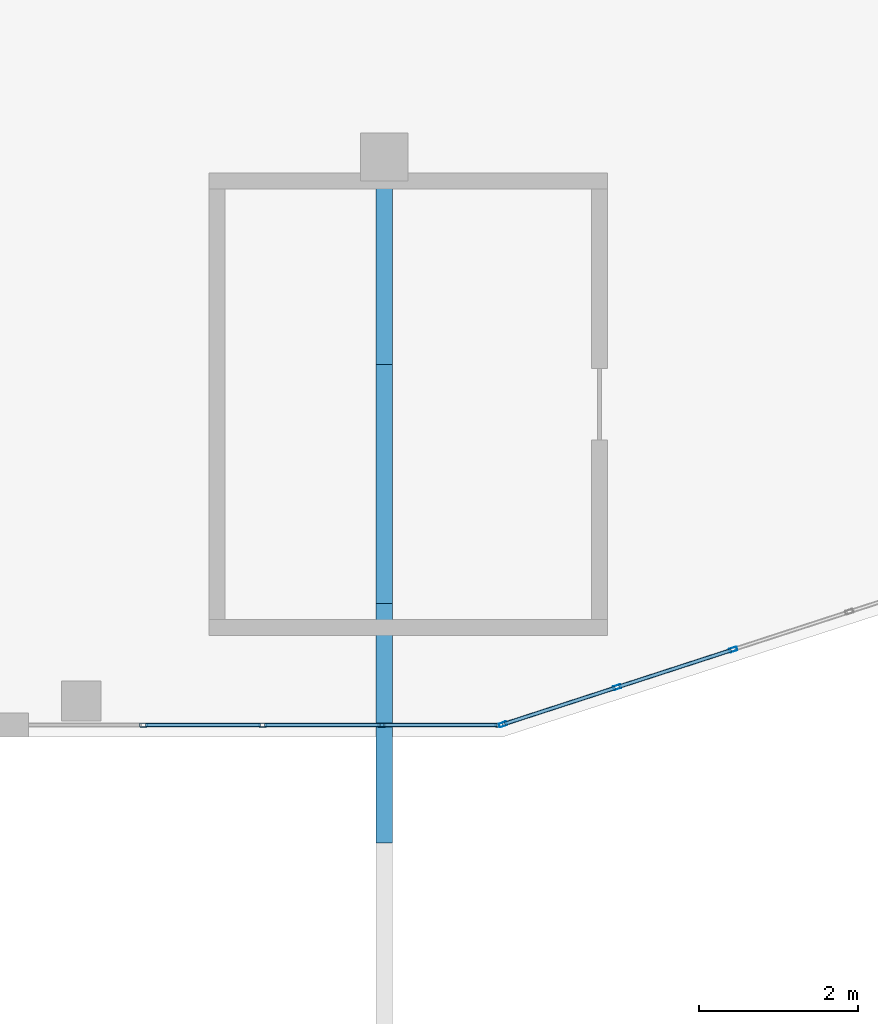
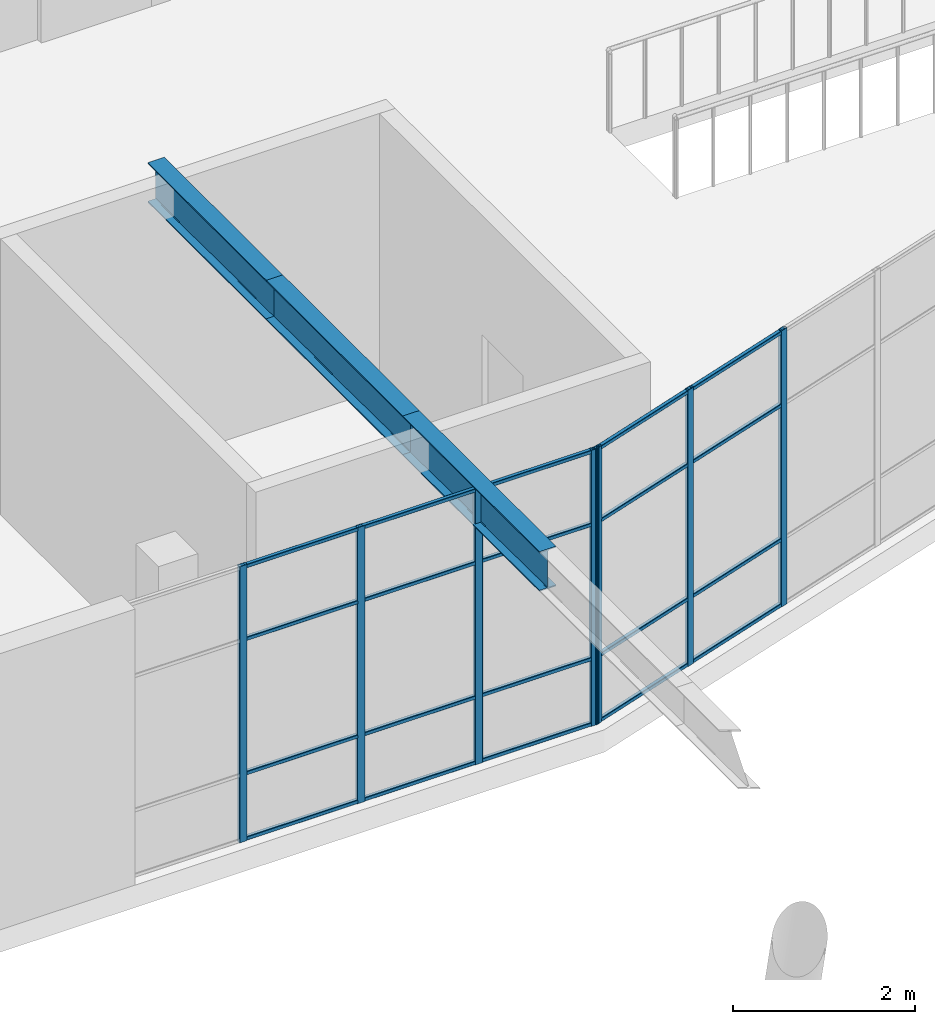
# One storey, part 6 of 65: 30 members, 2 elements without a shape of their own.
"""IFC4 building model written with IfcOpenShell, lengths in metres."""

from ifc_helpers import new_model, si_unit, direction, frame, origin, origin_2d, place, context, subcontext, project, spatial, hollow_rectangle, i_section, extrude, material, layer, layer_set, material_profile, profile_set, type_object, element, aggregate, save


model = new_model("IFC4")

# Units and contexts
model_context = context("Model", 3, precision=1e-05, world=origin(), true_north=direction((0.0, 1.0)))
body_context = subcontext(model_context, "Body", "Model", "MODEL_VIEW")
ifc_project = project(units=[si_unit("LENGTHUNIT", "METRE"), si_unit("AREAUNIT", "SQUARE_METRE"), si_unit("VOLUMEUNIT", "CUBIC_METRE"), si_unit("PLANEANGLEUNIT", "RADIAN"), si_unit("MASSUNIT", "GRAM", prefix="KILO")], contexts=[model_context])

# Site, building, storey
site_placement = place(None, origin())
site = spatial("IfcSite", under=ifc_project, at=site_placement, CompositionType="ELEMENT")
building_placement = place(site_placement, origin())
building = spatial("IfcBuilding", under=site, at=building_placement, Name="Tuart Plaza Theatre", CompositionType="ELEMENT")
storey_placement = place(building_placement, frame((0.0, 0.0, 9.5)))
storey = spatial("IfcBuildingStorey", under=building, at=storey_placement, Name="L02", CompositionType="ELEMENT", Elevation=9.5)

# Members
ifc_material_1 = material(Name="Steel Grade 300", Category="steel")
ifc_material_profile_1 = material_profile(ifc_material_1, i_section(OverallWidth=0.208984375, OverallDepth=0.532958984375, WebThickness=0.01025390625, FlangeThickness=0.015625, FilletRadius=0.013916015625, at=origin_2d()), Name="530UB92.4")
ifc_profile_set_1 = profile_set([ifc_material_profile_1], Name="Steel Grade 300")
member_type_1 = type_object("IfcMemberType", Name="BELT TRUSS Chord 530UB92.4", PredefinedType="CHORD", material=ifc_profile_set_1)
for number, where, z_axis, x_axis, name in (
    (1, (87.0, 41.0, 3.47998046875), (0.0, 1.0, 0.0), (-1.0, 0.0, 0.0), "CH39"),
    (2, (87.0, 44.0, 3.47998046875), (0.0, 1.0, 0.0), (-1.0, 0.0, 0.0), "CH40"),
):
    element("IfcMember", number, at=place(storey_placement, frame(where, z_axis=z_axis, x_axis=x_axis)), inside=storey, type_object=member_type_1, Name=name, PredefinedType="CHORD", context=body_context, shape_type="SweptSolid", body=[
        extrude(i_section(OverallWidth=0.208984375, OverallDepth=0.532958984375, WebThickness=0.01025390625, FlangeThickness=0.015625, FilletRadius=0.013916015625, at=origin_2d()), origin(), (0.0, 0.0, 1.0), 3.0),
    ])
member_1_placement = place(storey_placement, frame((87.0, 47.0, 3.47998046875), z_axis=(0.0, 1.0, 0.0), x_axis=(-1.0, 0.0, 0.0)))
element("IfcMember", 3, at=member_1_placement, inside=storey, type_object=member_type_1, Name="CH41", PredefinedType="CHORD", context=body_context, shape_type="SweptSolid", body=[
    extrude(i_section(OverallWidth=0.208984375, OverallDepth=0.532958984375, WebThickness=0.01025390625, FlangeThickness=0.015625, FilletRadius=0.013916015625, at=origin_2d()), origin(), (0.0, 0.0, 1.0), 2.60009765625),
])

# Curtain wall, members
ifc_material_2 = material(Name="Aluminium and glass", Category="aluminium")
ifc_layer = layer(ifc_material_2, 0.10009765625)
ifc_layer_set = layer_set([ifc_layer], Name="CURTAIN WALL 1500 module")
curtain_wall_type = type_object("IfcCurtainWallType", Name="CURTAIN WALL 1500 module", PredefinedType="NOTDEFINED", material=ifc_layer_set)
curtain_wall_1_placement = place(storey_placement, origin())
curtain_wall_1 = element("IfcCurtainWall", 4, at=curtain_wall_1_placement, inside=storey, type_object=curtain_wall_type, Name="CW27", PredefinedType="NOTDEFINED")
ifc_material_3 = material(Name="Aluminium 6063-T5", Category="aluminium")
ifc_material_profile_2 = material_profile(ifc_material_3, hollow_rectangle(XDim=0.050048828125, YDim=0.10009765625, WallThickness=0.00390625, InnerFilletRadius=0.00390625, OuterFilletRadius=0.008056640625, at=origin_2d()), Name="RHS 100x50x4")
ifc_profile_set_2 = profile_set([ifc_material_profile_2], Name="Aluminium 6063-T5")
member_type_2 = type_object("IfcMemberType", Name="MULLION RHS 100x50x4", PredefinedType="MULLION", material=ifc_profile_set_2)
member_2_placement = place(storey_placement, frame((83.98095703125, 42.47802734375, 0.0), z_axis=(0.0, 0.0, 1.0), x_axis=(0.0, 1.0, 0.0)))
member_2 = element("IfcMember", 5, at=member_2_placement, type_object=member_type_2, Name="CW27 mullion 2", PredefinedType="MULLION", context=body_context, shape_type="SweptSolid", body=[
    extrude(hollow_rectangle(XDim=0.050048828125, YDim=0.10009765625, WallThickness=0.00390625, InnerFilletRadius=0.00390625, OuterFilletRadius=0.008056640625, at=origin_2d()), origin(), (0.0, 0.0, 1.0), 3.699951171875),
])
member_3_placement = place(storey_placement, frame((85.47509765625, 42.47802734375, 0.0), z_axis=(0.0, 0.0, 1.0), x_axis=(0.0, 1.0, 0.0)))
member_3 = element("IfcMember", 6, at=member_3_placement, type_object=member_type_2, Name="CW27 mullion 3", PredefinedType="MULLION", context=body_context, shape_type="SweptSolid", body=[
    extrude(hollow_rectangle(XDim=0.050048828125, YDim=0.10009765625, WallThickness=0.00390625, InnerFilletRadius=0.00390625, OuterFilletRadius=0.008056640625, at=origin_2d()), origin(), (0.0, 0.0, 1.0), 3.699951171875),
])
member_4_placement = place(storey_placement, frame((86.96923828125, 42.47802734375, 0.0), z_axis=(0.0, 0.0, 1.0), x_axis=(0.0, 1.0, 0.0)))
member_4 = element("IfcMember", 7, at=member_4_placement, type_object=member_type_2, Name="CW27 mullion 4", PredefinedType="MULLION", context=body_context, shape_type="SweptSolid", body=[
    extrude(hollow_rectangle(XDim=0.050048828125, YDim=0.10009765625, WallThickness=0.00390625, InnerFilletRadius=0.00390625, OuterFilletRadius=0.008056640625, at=origin_2d()), origin(), (0.0, 0.0, 1.0), 3.699951171875),
])
member_5_placement = place(storey_placement, frame((88.438232421875, 42.47802734375, 0.0), z_axis=(0.0, 0.0, 1.0), x_axis=(0.0, 1.0, 0.0)))
member_5 = element("IfcMember", 8, at=member_5_placement, type_object=member_type_2, Name="CW27 mullion 5", PredefinedType="MULLION", context=body_context, shape_type="SweptSolid", body=[
    extrude(hollow_rectangle(XDim=0.050048828125, YDim=0.10009765625, WallThickness=0.00390625, InnerFilletRadius=0.00390625, OuterFilletRadius=0.008056640625, at=origin_2d()), origin(), (0.0, 0.0, 1.0), 3.699951171875),
])

curtain_wall_2_placement = place(storey_placement, origin())
curtain_wall_2 = element("IfcCurtainWall", 9, at=curtain_wall_2_placement, inside=storey, type_object=curtain_wall_type, Name="CW28", PredefinedType="NOTDEFINED")
member_6_placement = place(storey_placement, frame((88.487060546875, 42.48583984375, 0.0), z_axis=(0.0, 0.0, 1.0), x_axis=(-0.309018232632, 0.95105611396, 0.0)))
member_6 = element("IfcMember", 10, at=member_6_placement, type_object=member_type_2, Name="CW28 mullion 1", PredefinedType="MULLION", context=body_context, shape_type="SweptSolid", body=[
    extrude(hollow_rectangle(XDim=0.050048828125, YDim=0.10009765625, WallThickness=0.00390625, InnerFilletRadius=0.00390625, OuterFilletRadius=0.008056640625, at=origin_2d()), origin(), (0.0, 0.0, 1.0), 3.699951171875),
])
member_7_placement = place(storey_placement, frame((89.919677734375, 42.951171875, 0.0), z_axis=(0.0, 0.0, 1.0), x_axis=(-0.309018232632, 0.95105611396, 0.0)))
member_7 = element("IfcMember", 11, at=member_7_placement, type_object=member_type_2, Name="CW28 mullion 2", PredefinedType="MULLION", context=body_context, shape_type="SweptSolid", body=[
    extrude(hollow_rectangle(XDim=0.050048828125, YDim=0.10009765625, WallThickness=0.00390625, InnerFilletRadius=0.00390625, OuterFilletRadius=0.008056640625, at=origin_2d()), origin(), (0.0, 0.0, 1.0), 3.699951171875),
])
member_8_placement = place(storey_placement, frame((91.376220703125, 43.424560546875, 0.0), z_axis=(0.0, 0.0, 1.0), x_axis=(-0.309018232632, 0.95105611396, 0.0)))
member_8 = element("IfcMember", 12, at=member_8_placement, type_object=member_type_2, Name="CW28 mullion 3", PredefinedType="MULLION", context=body_context, shape_type="SweptSolid", body=[
    extrude(hollow_rectangle(XDim=0.050048828125, YDim=0.10009765625, WallThickness=0.00390625, InnerFilletRadius=0.00390625, OuterFilletRadius=0.008056640625, at=origin_2d()), origin(), (0.0, 0.0, 1.0), 3.699951171875),
])

# Member
ifc_material_4 = material(Name="Aluminium 6063-T5", Category="aluminium")
ifc_material_profile_3 = material_profile(ifc_material_4, hollow_rectangle(XDim=0.050048828125, YDim=0.050048828125, WallThickness=0.00390625, InnerFilletRadius=0.00390625, OuterFilletRadius=0.008056640625, at=origin_2d()), Name="RHS 50x50x4")
ifc_profile_set_3 = profile_set([ifc_material_profile_3], Name="Aluminium 6063-T5")
member_type_3 = type_object("IfcMemberType", Name="TRANSOM RHS 50x50x4", PredefinedType="USERDEFINED", material=ifc_profile_set_3)
member_9_placement = place(storey_placement, frame((84.006103515625, 42.47802734375, 0.02490234375), z_axis=(1.0, 0.0, 0.0), x_axis=(0.0, 1.0, 0.0)))
member_9 = element("IfcMember", 13, at=member_9_placement, type_object=member_type_3, Name="CW27 transom 2.1", ObjectType="TRANSOM", PredefinedType="USERDEFINED", context=body_context, shape_type="SweptSolid", body=[
    extrude(hollow_rectangle(XDim=0.050048828125, YDim=0.050048828125, WallThickness=0.00390625, InnerFilletRadius=0.00390625, OuterFilletRadius=0.008056640625, at=origin_2d()), origin(), (0.0, 0.0, 1.0), 1.444091796875),
])

member_10_placement = place(storey_placement, frame((84.006103515625, 42.47802734375, 0.89990234375), z_axis=(1.0, 0.0, 0.0), x_axis=(0.0, 1.0, 0.0)))
member_10 = element("IfcMember", 14, at=member_10_placement, type_object=member_type_3, Name="CW27 transom 2.2", ObjectType="TRANSOM", PredefinedType="USERDEFINED", context=body_context, shape_type="SweptSolid", body=[
    extrude(hollow_rectangle(XDim=0.050048828125, YDim=0.050048828125, WallThickness=0.00390625, InnerFilletRadius=0.00390625, OuterFilletRadius=0.008056640625, at=origin_2d()), origin(), (0.0, 0.0, 1.0), 1.444091796875),
])

member_11_placement = place(storey_placement, frame((84.006103515625, 42.47802734375, 2.699951171875), z_axis=(1.0, 0.0, 0.0), x_axis=(0.0, 1.0, 0.0)))
member_11 = element("IfcMember", 15, at=member_11_placement, type_object=member_type_3, Name="CW27 transom 2.3", ObjectType="TRANSOM", PredefinedType="USERDEFINED", context=body_context, shape_type="SweptSolid", body=[
    extrude(hollow_rectangle(XDim=0.050048828125, YDim=0.050048828125, WallThickness=0.00390625, InnerFilletRadius=0.00390625, OuterFilletRadius=0.008056640625, at=origin_2d()), origin(), (0.0, 0.0, 1.0), 1.444091796875),
])

member_12_placement = place(storey_placement, frame((84.006103515625, 42.47802734375, 3.675048828125), z_axis=(1.0, 0.0, 0.0), x_axis=(0.0, 1.0, 0.0)))
member_12 = element("IfcMember", 16, at=member_12_placement, type_object=member_type_3, Name="CW27 transom 2.4", ObjectType="TRANSOM", PredefinedType="USERDEFINED", context=body_context, shape_type="SweptSolid", body=[
    extrude(hollow_rectangle(XDim=0.050048828125, YDim=0.050048828125, WallThickness=0.00390625, InnerFilletRadius=0.00390625, OuterFilletRadius=0.008056640625, at=origin_2d()), origin(), (0.0, 0.0, 1.0), 1.444091796875),
])

member_13_placement = place(storey_placement, frame((85.5, 42.47802734375, 0.02490234375), z_axis=(1.0, 0.0, 0.0), x_axis=(0.0, 1.0, 0.0)))
member_13 = element("IfcMember", 17, at=member_13_placement, type_object=member_type_3, Name="CW27 transom 3.1", ObjectType="TRANSOM", PredefinedType="USERDEFINED", context=body_context, shape_type="SweptSolid", body=[
    extrude(hollow_rectangle(XDim=0.050048828125, YDim=0.050048828125, WallThickness=0.00390625, InnerFilletRadius=0.00390625, OuterFilletRadius=0.008056640625, at=origin_2d()), origin(), (0.0, 0.0, 1.0), 1.444091796875),
])

member_14_placement = place(storey_placement, frame((85.5, 42.47802734375, 0.89990234375), z_axis=(1.0, 0.0, 0.0), x_axis=(0.0, 1.0, 0.0)))
member_14 = element("IfcMember", 18, at=member_14_placement, type_object=member_type_3, Name="CW27 transom 3.2", ObjectType="TRANSOM", PredefinedType="USERDEFINED", context=body_context, shape_type="SweptSolid", body=[
    extrude(hollow_rectangle(XDim=0.050048828125, YDim=0.050048828125, WallThickness=0.00390625, InnerFilletRadius=0.00390625, OuterFilletRadius=0.008056640625, at=origin_2d()), origin(), (0.0, 0.0, 1.0), 1.444091796875),
])

member_15_placement = place(storey_placement, frame((85.5, 42.47802734375, 2.699951171875), z_axis=(1.0, 0.0, 0.0), x_axis=(0.0, 1.0, 0.0)))
member_15 = element("IfcMember", 19, at=member_15_placement, type_object=member_type_3, Name="CW27 transom 3.3", ObjectType="TRANSOM", PredefinedType="USERDEFINED", context=body_context, shape_type="SweptSolid", body=[
    extrude(hollow_rectangle(XDim=0.050048828125, YDim=0.050048828125, WallThickness=0.00390625, InnerFilletRadius=0.00390625, OuterFilletRadius=0.008056640625, at=origin_2d()), origin(), (0.0, 0.0, 1.0), 1.444091796875),
])

member_16_placement = place(storey_placement, frame((85.5, 42.47802734375, 3.675048828125), z_axis=(1.0, 0.0, 0.0), x_axis=(0.0, 1.0, 0.0)))
member_16 = element("IfcMember", 20, at=member_16_placement, type_object=member_type_3, Name="CW27 transom 3.4", ObjectType="TRANSOM", PredefinedType="USERDEFINED", context=body_context, shape_type="SweptSolid", body=[
    extrude(hollow_rectangle(XDim=0.050048828125, YDim=0.050048828125, WallThickness=0.00390625, InnerFilletRadius=0.00390625, OuterFilletRadius=0.008056640625, at=origin_2d()), origin(), (0.0, 0.0, 1.0), 1.444091796875),
])

member_17_placement = place(storey_placement, frame((86.994140625, 42.47802734375, 0.02490234375), z_axis=(1.0, 0.0, 0.0), x_axis=(0.0, 1.0, 0.0)))
member_17 = element("IfcMember", 21, at=member_17_placement, type_object=member_type_3, Name="CW27 transom 4.1", ObjectType="TRANSOM", PredefinedType="USERDEFINED", context=body_context, shape_type="SweptSolid", body=[
    extrude(hollow_rectangle(XDim=0.050048828125, YDim=0.050048828125, WallThickness=0.00390625, InnerFilletRadius=0.00390625, OuterFilletRadius=0.008056640625, at=origin_2d()), origin(), (0.0, 0.0, 1.0), 1.419189453125),
])

member_18_placement = place(storey_placement, frame((86.994140625, 42.47802734375, 0.89990234375), z_axis=(1.0, 0.0, 0.0), x_axis=(0.0, 1.0, 0.0)))
member_18 = element("IfcMember", 22, at=member_18_placement, type_object=member_type_3, Name="CW27 transom 4.2", ObjectType="TRANSOM", PredefinedType="USERDEFINED", context=body_context, shape_type="SweptSolid", body=[
    extrude(hollow_rectangle(XDim=0.050048828125, YDim=0.050048828125, WallThickness=0.00390625, InnerFilletRadius=0.00390625, OuterFilletRadius=0.008056640625, at=origin_2d()), origin(), (0.0, 0.0, 1.0), 1.419189453125),
])

member_19_placement = place(storey_placement, frame((86.994140625, 42.47802734375, 2.699951171875), z_axis=(1.0, 0.0, 0.0), x_axis=(0.0, 1.0, 0.0)))
member_19 = element("IfcMember", 23, at=member_19_placement, type_object=member_type_3, Name="CW27 transom 4.3", ObjectType="TRANSOM", PredefinedType="USERDEFINED", context=body_context, shape_type="SweptSolid", body=[
    extrude(hollow_rectangle(XDim=0.050048828125, YDim=0.050048828125, WallThickness=0.00390625, InnerFilletRadius=0.00390625, OuterFilletRadius=0.008056640625, at=origin_2d()), origin(), (0.0, 0.0, 1.0), 1.419189453125),
])

member_20_placement = place(storey_placement, frame((86.994140625, 42.47802734375, 3.675048828125), z_axis=(1.0, 0.0, 0.0), x_axis=(0.0, 1.0, 0.0)))
member_20 = element("IfcMember", 24, at=member_20_placement, type_object=member_type_3, Name="CW27 transom 4.4", ObjectType="TRANSOM", PredefinedType="USERDEFINED", context=body_context, shape_type="SweptSolid", body=[
    extrude(hollow_rectangle(XDim=0.050048828125, YDim=0.050048828125, WallThickness=0.00390625, InnerFilletRadius=0.00390625, OuterFilletRadius=0.008056640625, at=origin_2d()), origin(), (0.0, 0.0, 1.0), 1.419189453125),
])

aggregate(curtain_wall_1, [member_2, member_3, member_4, member_5, member_9, member_10, member_11, member_12, member_13, member_14, member_15, member_16, member_17, member_18, member_19, member_20])

member_21_placement = place(storey_placement, frame((88.5107421875, 42.493408203125, 0.02490234375), z_axis=(0.951036532205, 0.309078492313, 0.0), x_axis=(-0.309078492313, 0.951036532205, 0.0)))
member_21 = element("IfcMember", 25, at=member_21_placement, type_object=member_type_3, Name="CW28 transom 1.1", ObjectType="TRANSOM", PredefinedType="USERDEFINED", context=body_context, shape_type="SweptSolid", body=[
    extrude(hollow_rectangle(XDim=0.050048828125, YDim=0.050048828125, WallThickness=0.00390625, InnerFilletRadius=0.00390625, OuterFilletRadius=0.008056640625, at=origin_2d()), origin(), (0.0, 0.0, 1.0), 1.45654296875),
])

member_22_placement = place(storey_placement, frame((88.5107421875, 42.493408203125, 0.89990234375), z_axis=(0.951036532205, 0.309078492313, 0.0), x_axis=(-0.309078492313, 0.951036532205, 0.0)))
member_22 = element("IfcMember", 26, at=member_22_placement, type_object=member_type_3, Name="CW28 transom 1.2", ObjectType="TRANSOM", PredefinedType="USERDEFINED", context=body_context, shape_type="SweptSolid", body=[
    extrude(hollow_rectangle(XDim=0.050048828125, YDim=0.050048828125, WallThickness=0.00390625, InnerFilletRadius=0.00390625, OuterFilletRadius=0.008056640625, at=origin_2d()), origin(), (0.0, 0.0, 1.0), 1.45654296875),
])

member_23_placement = place(storey_placement, frame((88.5107421875, 42.493408203125, 2.699951171875), z_axis=(0.951036532205, 0.309078492313, 0.0), x_axis=(-0.309078492313, 0.951036532205, 0.0)))
member_23 = element("IfcMember", 27, at=member_23_placement, type_object=member_type_3, Name="CW28 transom 1.3", ObjectType="TRANSOM", PredefinedType="USERDEFINED", context=body_context, shape_type="SweptSolid", body=[
    extrude(hollow_rectangle(XDim=0.050048828125, YDim=0.050048828125, WallThickness=0.00390625, InnerFilletRadius=0.00390625, OuterFilletRadius=0.008056640625, at=origin_2d()), origin(), (0.0, 0.0, 1.0), 1.45654296875),
])

member_24_placement = place(storey_placement, frame((88.5107421875, 42.493408203125, 3.675048828125), z_axis=(0.951036532205, 0.309078492313, 0.0), x_axis=(-0.309078492313, 0.951036532205, 0.0)))
member_24 = element("IfcMember", 28, at=member_24_placement, type_object=member_type_3, Name="CW28 transom 1.4", ObjectType="TRANSOM", PredefinedType="USERDEFINED", context=body_context, shape_type="SweptSolid", body=[
    extrude(hollow_rectangle(XDim=0.050048828125, YDim=0.050048828125, WallThickness=0.00390625, InnerFilletRadius=0.00390625, OuterFilletRadius=0.008056640625, at=origin_2d()), origin(), (0.0, 0.0, 1.0), 1.45654296875),
])

member_25_placement = place(storey_placement, frame((89.943603515625, 42.958984375, 0.02490234375), z_axis=(0.951061919735, 0.309000363802, 0.0), x_axis=(-0.309000363802, 0.951061919735, 0.0)))
member_25 = element("IfcMember", 29, at=member_25_placement, type_object=member_type_3, Name="CW28 transom 2.1", ObjectType="TRANSOM", PredefinedType="USERDEFINED", context=body_context, shape_type="SweptSolid", body=[
    extrude(hollow_rectangle(XDim=0.050048828125, YDim=0.050048828125, WallThickness=0.00390625, InnerFilletRadius=0.00390625, OuterFilletRadius=0.008056640625, at=origin_2d()), origin(), (0.0, 0.0, 1.0), 1.4814453125),
])

member_26_placement = place(storey_placement, frame((89.943603515625, 42.958984375, 0.89990234375), z_axis=(0.951061919735, 0.309000363802, 0.0), x_axis=(-0.309000363802, 0.951061919735, 0.0)))
member_26 = element("IfcMember", 30, at=member_26_placement, type_object=member_type_3, Name="CW28 transom 2.2", ObjectType="TRANSOM", PredefinedType="USERDEFINED", context=body_context, shape_type="SweptSolid", body=[
    extrude(hollow_rectangle(XDim=0.050048828125, YDim=0.050048828125, WallThickness=0.00390625, InnerFilletRadius=0.00390625, OuterFilletRadius=0.008056640625, at=origin_2d()), origin(), (0.0, 0.0, 1.0), 1.4814453125),
])

member_27_placement = place(storey_placement, frame((89.943603515625, 42.958984375, 2.699951171875), z_axis=(0.951061919735, 0.309000363802, 0.0), x_axis=(-0.309000363802, 0.951061919735, 0.0)))
member_27 = element("IfcMember", 31, at=member_27_placement, type_object=member_type_3, Name="CW28 transom 2.3", ObjectType="TRANSOM", PredefinedType="USERDEFINED", context=body_context, shape_type="SweptSolid", body=[
    extrude(hollow_rectangle(XDim=0.050048828125, YDim=0.050048828125, WallThickness=0.00390625, InnerFilletRadius=0.00390625, OuterFilletRadius=0.008056640625, at=origin_2d()), origin(), (0.0, 0.0, 1.0), 1.4814453125),
])

member_28_placement = place(storey_placement, frame((89.943603515625, 42.958984375, 3.675048828125), z_axis=(0.951061919735, 0.309000363802, 0.0), x_axis=(-0.309000363802, 0.951061919735, 0.0)))
member_28 = element("IfcMember", 32, at=member_28_placement, type_object=member_type_3, Name="CW28 transom 2.4", ObjectType="TRANSOM", PredefinedType="USERDEFINED", context=body_context, shape_type="SweptSolid", body=[
    extrude(hollow_rectangle(XDim=0.050048828125, YDim=0.050048828125, WallThickness=0.00390625, InnerFilletRadius=0.00390625, OuterFilletRadius=0.008056640625, at=origin_2d()), origin(), (0.0, 0.0, 1.0), 1.4814453125),
])

aggregate(curtain_wall_2, [member_6, member_7, member_8, member_21, member_22, member_23, member_24, member_25, member_26, member_27, member_28])

save(model, "model.ifc")
